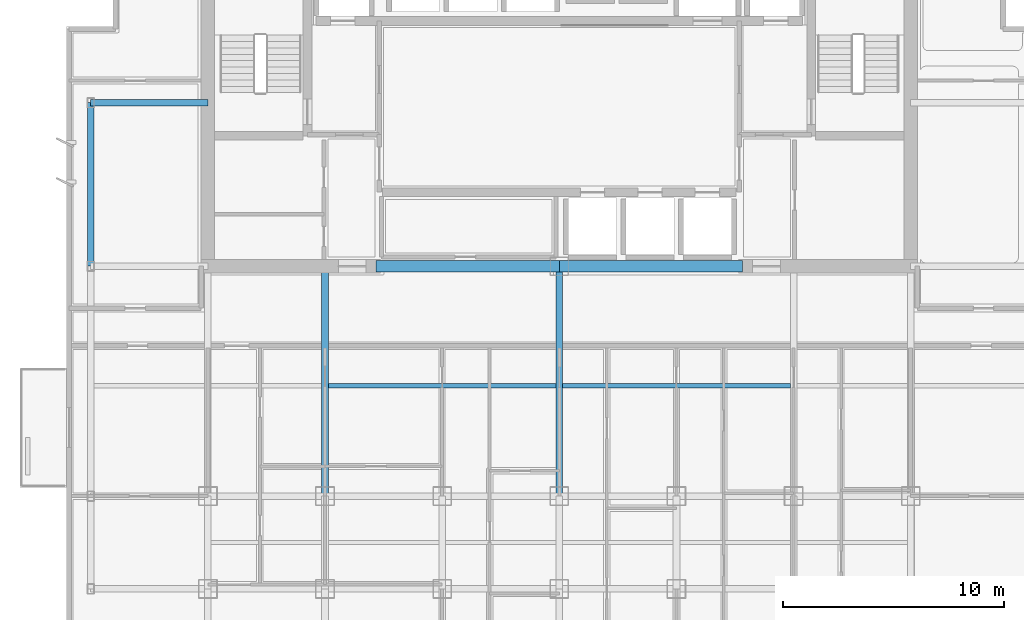
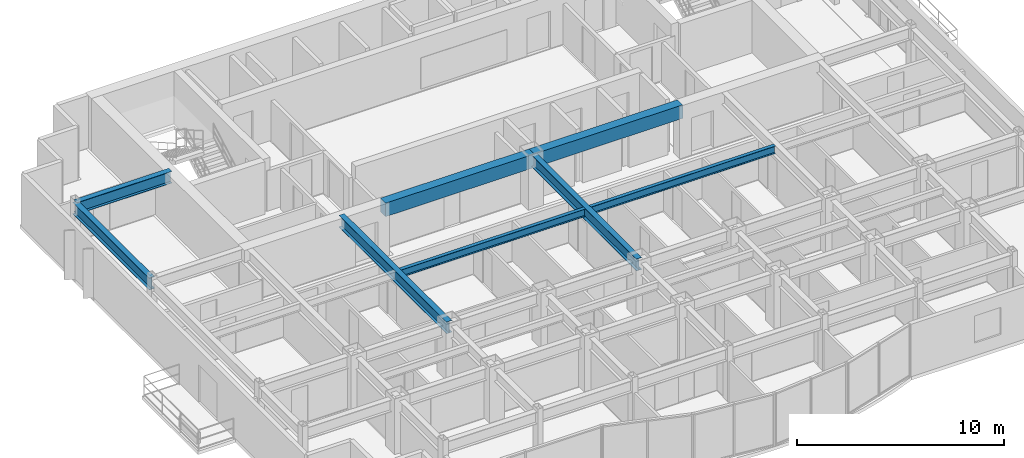
# One storey, part 3 of 11: 8 beams.
"""IFC4 building model written with IfcOpenShell, lengths in metres."""

from ifc_helpers import new_model, si_unit, direction, frame, origin, origin_2d, place, context, subcontext, project, spatial, rectangle, i_section, extrude, material, material_profile, profile_set, type_object, element, save


model = new_model("IFC4")

# Units and contexts
model_context = context("Model", 3, precision=1e-05, world=origin(), true_north=direction((0.0, 1.0)))
body_context = subcontext(model_context, "Body", "Model", "MODEL_VIEW")
ifc_project = project(units=[si_unit("LENGTHUNIT", "METRE"), si_unit("AREAUNIT", "SQUARE_METRE"), si_unit("VOLUMEUNIT", "CUBIC_METRE"), si_unit("PLANEANGLEUNIT", "RADIAN"), si_unit("MASSUNIT", "GRAM", prefix="KILO")], contexts=[model_context])

# Site, building, storey
site_placement = place(None, origin())
site = spatial("IfcSite", under=ifc_project, at=site_placement, CompositionType="ELEMENT")
building_placement = place(site_placement, origin())
building = spatial("IfcBuilding", under=site, at=building_placement, Name="Qianlan Lanfeng Residences", CompositionType="ELEMENT")
storey_placement = place(building_placement, frame((0.0, 0.0, 175.5)))
storey = spatial("IfcBuildingStorey", under=building, at=storey_placement, Name="L48", CompositionType="ELEMENT", Elevation=175.5)

# Beams
ifc_material_1 = material(Name="Steel SN490B", Category="steel")
ifc_material_profile_1 = material_profile(ifc_material_1, i_section(OverallWidth=0.300048828125, OverallDepth=0.699951171875, WebThickness=0.012939453125, FlangeThickness=0.02392578125, at=origin_2d()), Name="H 700x300x13x24")
ifc_profile_set_1 = profile_set([ifc_material_profile_1], Name="Steel SN490B")
beam_type_1 = type_object("IfcBeamType", Name="G-750", PredefinedType="BEAM", material=ifc_profile_set_1)
beam_1_placement = place(storey_placement, frame((5.300048828125, 32.60009765625, 2.75), z_axis=(1.0, 0.0, 0.0), x_axis=(0.0, 1.0, 0.0)))
element("IfcBeam", 1, at=beam_1_placement, inside=storey, type_object=beam_type_1, Name="Structural beam G-750", PredefinedType="BEAM", context=body_context, shape_type="SweptSolid", body=[
    extrude(i_section(OverallWidth=0.300048828125, OverallDepth=0.699951171875, WebThickness=0.012939453125, FlangeThickness=0.02392578125, at=origin_2d()), origin(), (0.0, 0.0, 1.0), 5.300048828125),
])
for number, where, z_axis, x_axis, name in (
    (2, (15.89990234375, 14.800048828125, 2.75), (0.0, 1.0, 0.0), (-1.0, 0.0, 0.0), "Structural beam G-750"),
    (3, (26.5, 14.800048828125, 2.75), (0.0, 1.0, 0.0), (-1.0, 0.0, 0.0), "Structural beam G-750"),
):
    element("IfcBeam", number, at=place(storey_placement, frame(where, z_axis=z_axis, x_axis=x_axis)), inside=storey, type_object=beam_type_1, Name=name, PredefinedType="BEAM", context=body_context, shape_type="SweptSolid", body=[
        extrude(i_section(OverallWidth=0.300048828125, OverallDepth=0.699951171875, WebThickness=0.012939453125, FlangeThickness=0.02392578125, at=origin_2d()), origin(), (0.0, 0.0, 1.0), 10.39990234375),
    ])
ifc_material_profile_2 = material_profile(ifc_material_1, i_section(OverallWidth=0.199951171875, OverallDepth=0.449951171875, WebThickness=0.009033203125, FlangeThickness=0.013916015625, at=origin_2d()), Name="H 450x200x9x14")
ifc_profile_set_2 = profile_set([ifc_material_profile_2], Name="Steel SN490B")
beam_type_2 = type_object("IfcBeamType", Name="J-450", PredefinedType="JOIST", material=ifc_profile_set_2)
for number, where, z_axis, x_axis, name in (
    (4, (16.050048828125, 19.800048828125, 2.875), (1.0, 0.0, 0.0), (0.0, 1.0, 0.0), "Structural beam J-450"),
    (5, (26.64990234375, 19.800048828125, 2.875), (1.0, 0.0, 0.0), (0.0, 1.0, 0.0), "Structural beam J-450"),
):
    element("IfcBeam", number, at=place(storey_placement, frame(where, z_axis=z_axis, x_axis=x_axis)), inside=storey, type_object=beam_type_2, Name=name, PredefinedType="JOIST", context=body_context, shape_type="SweptSolid", body=[
        extrude(i_section(OverallWidth=0.199951171875, OverallDepth=0.449951171875, WebThickness=0.009033203125, FlangeThickness=0.013916015625, at=origin_2d()), origin(), (0.0, 0.0, 1.0), 10.300048828125),
    ])
ifc_material_2 = material(Name="Concrete C49", Category="concrete")
ifc_material_profile_3 = material_profile(ifc_material_2, rectangle(XDim=0.5, YDim=0.800048828125, at=origin_2d()), Name="RC 500x800")
ifc_profile_set_3 = profile_set([ifc_material_profile_3], Name="Concrete C49")
beam_type_3 = type_object("IfcBeamType", Name="LB-RC750", PredefinedType="BEAM", material=ifc_profile_set_3)
for number, where, z_axis, x_axis, name in (
    (6, (18.199951171875, 25.199951171875, 2.699951171875), (1.0, 0.0, 0.0), (0.0, 1.0, 0.0), "L48 Core Coupling Beam W"),
    (7, (26.5, 25.199951171875, 2.699951171875), (1.0, 0.0, 0.0), (0.0, 1.0, 0.0), "L48 Core Coupling Beam E"),
):
    element("IfcBeam", number, at=place(storey_placement, frame(where, z_axis=z_axis, x_axis=x_axis)), inside=storey, type_object=beam_type_3, Name=name, PredefinedType="BEAM", context=body_context, shape_type="SweptSolid", body=[
        extrude(rectangle(XDim=0.5, YDim=0.800048828125, at=origin_2d()), origin(), (0.0, 0.0, 1.0), 8.300048828125),
    ])
ifc_material_profile_4 = material_profile(ifc_material_1, i_section(OverallWidth=0.300048828125, OverallDepth=0.699951171875, WebThickness=0.012939453125, FlangeThickness=0.02392578125, at=origin_2d()), Name="H 700x300x13x24")
ifc_profile_set_4 = profile_set([ifc_material_profile_4], Name="Steel SN490B")
beam_type_4 = type_object("IfcBeamType", Name="SG-750", PredefinedType="SPANDREL", material=ifc_profile_set_4)
beam_2_placement = place(storey_placement, frame((5.300048828125, 25.199951171875, 2.739990234375), z_axis=(0.0, 1.0, 0.0), x_axis=(-1.0, 0.0, 0.0)))
element("IfcBeam", 8, at=beam_2_placement, inside=storey, type_object=beam_type_4, Name="Structural beam SG-750", PredefinedType="SPANDREL", context=body_context, shape_type="SweptSolid", body=[
    extrude(i_section(OverallWidth=0.300048828125, OverallDepth=0.699951171875, WebThickness=0.012939453125, FlangeThickness=0.02392578125, at=origin_2d()), origin(), (0.0, 0.0, 1.0), 7.400146484375),
])

save(model, "model.ifc")
